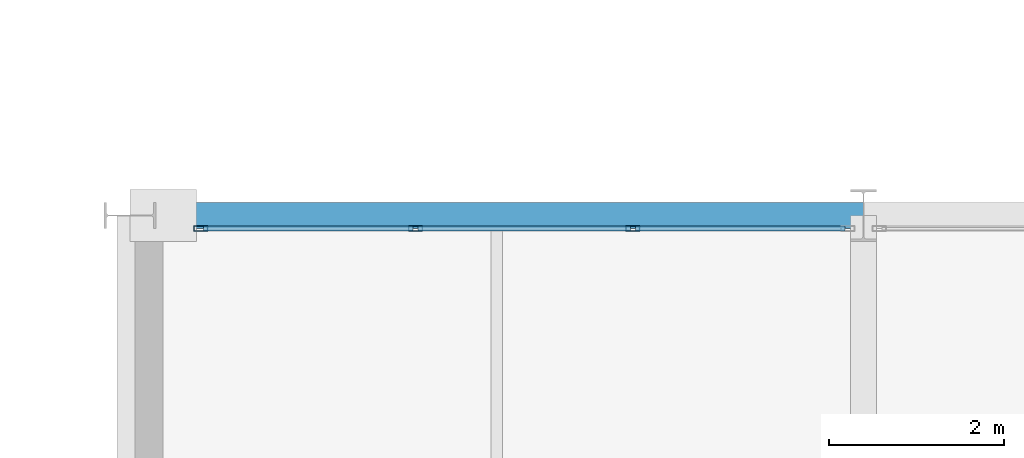
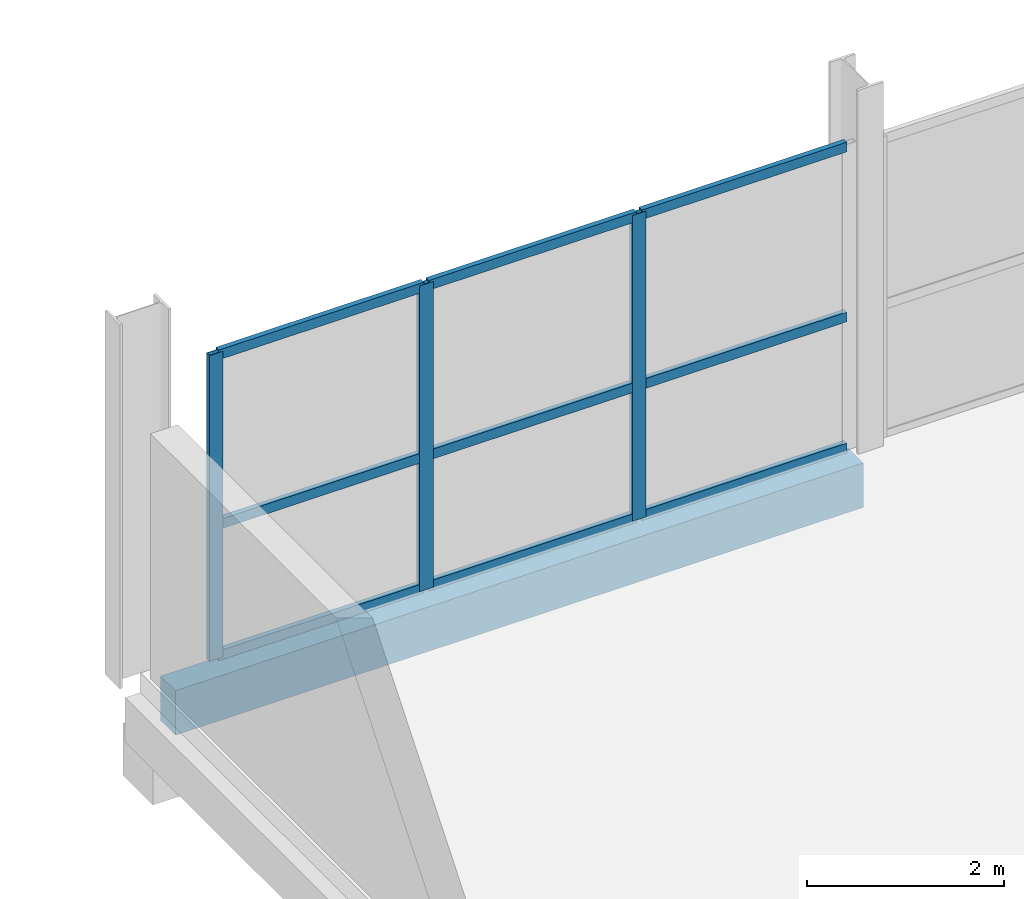
# One storey, part 56 of 130: 12 members, 1 beam, 1 element without a shape of its own.
"""IFC4 building model written with IfcOpenShell, lengths in metres."""

import ifcopenshell
import ifcopenshell.guid

model = None  # the IFC model being written
_history = None  # IfcOwnerHistory: only IFC2X3 demands one
_inside = {}  # id of a spatial element -> (the spatial element, [elements in it])
_under = {}  # id of a project, library or spatial element -> (it, [spatial elements below it])
_declared = {}  # id of a project -> (the project, [libraries it declares])
_typed = {}  # id of a type object -> (the type object, [elements of that type])
_made_of = {}  # id of a material, layer set ... -> (it, [elements and type objects made of it])


def new_model(schema):
    """Start an empty IFC model of exactly this schema.

    Asked for "IFC4X3", IfcOpenShell would pick the latest addendum, in which some entities
    have other attributes; the version numbers below select the first issue.
    IFC2X3 requires an IfcOwnerHistory on every rooted entity: one is made here for all.
    """
    global model, _history
    if schema == "IFC4X3":
        model = ifcopenshell.file(schema_version=(4, 3, 0, 0))
    else:
        model = ifcopenshell.file(schema=schema)
    _inside.clear()
    _under.clear()
    _declared.clear()
    _typed.clear()
    _made_of.clear()
    _history = None
    if model.schema == "IFC2X3":
        org = make("IfcOrganization", Name="unknown")
        user = make(
            "IfcPersonAndOrganization",
            ThePerson=make("IfcPerson", FamilyName="unknown"),
            TheOrganization=org,
        )
        app = make(
            "IfcApplication",
            ApplicationDeveloper=org,
            Version="unknown",
            ApplicationFullName="unknown",
            ApplicationIdentifier="unknown",
        )
        _history = make(
            "IfcOwnerHistory",
            OwningUser=user,
            OwningApplication=app,
            ChangeAction="ADDED",
            CreationDate=0,
        )
    return model


def make(cls, **values):
    """One entity of the class cls with the attributes given. An attribute that is None is left unset."""
    return model.create_entity(
        cls, **{name: value for name, value in values.items() if value is not None}
    )


def rooted(cls, **values):
    """An entity with a GlobalId (a new one), such as an element, a storey or a relation."""
    return make(cls, GlobalId=ifcopenshell.guid.new(), OwnerHistory=_history, **values)


def si_unit(unit_type, name, prefix=None):
    """IfcSIUnit, for example si_unit("LENGTHUNIT", "METRE", prefix="MILLI")."""
    return make("IfcSIUnit", UnitType=unit_type, Prefix=prefix, Name=name)


def assignment(units):
    """IfcUnitAssignment: the units of a project."""
    return None if units is None else make("IfcUnitAssignment", Units=units)


def point(xyz):
    """IfcCartesianPoint."""
    return None if xyz is None else make("IfcCartesianPoint", Coordinates=xyz)


def direction(xyz):
    """IfcDirection."""
    return None if xyz is None else make("IfcDirection", DirectionRatios=xyz)


def frame(location, z_axis=None, x_axis=None):
    """IfcAxis2Placement3D, a coordinate frame: its origin and axes. An axis left out is left unset."""
    return make(
        "IfcAxis2Placement3D",
        Location=point(location),
        Axis=direction(z_axis),
        RefDirection=direction(x_axis),
    )


def frame_2d(location, x_axis=None):
    """IfcAxis2Placement2D, a coordinate frame in the plane: its origin and x axis."""
    return make(
        "IfcAxis2Placement2D", Location=point(location), RefDirection=direction(x_axis)
    )


def origin():
    """The frame at (0, 0, 0) with its axes left unset."""
    return frame((0.0, 0.0, 0.0))


def origin_2d():
    """The frame at (0, 0) in the plane with its x axis left unset."""
    return frame_2d((0.0, 0.0))


def place(relative_to, where):
    """IfcLocalPlacement: puts the frame where relative to a parent placement (None: the world)."""
    return make(
        "IfcLocalPlacement", PlacementRelTo=relative_to, RelativePlacement=where
    )


def context(
    kind, dimensions, precision=None, world=None, true_north=None, identifier=None
):
    """IfcGeometricRepresentationContext, for example the 3D "Model" context."""
    return make(
        "IfcGeometricRepresentationContext",
        ContextIdentifier=identifier,
        ContextType=kind,
        CoordinateSpaceDimension=dimensions,
        Precision=precision,
        WorldCoordinateSystem=world,
        TrueNorth=true_north,
    )


def subcontext(parent, identifier, kind, view, scale=None):
    """IfcGeometricRepresentationSubContext, for example "Body" below "Model"."""
    return make(
        "IfcGeometricRepresentationSubContext",
        ContextIdentifier=identifier,
        ContextType=kind,
        ParentContext=parent,
        TargetScale=scale,
        TargetView=view,
    )


def project(units=None, contexts=None):
    """IfcProject with its units and contexts."""
    return rooted(
        "IfcProject",
        Name="project",
        RepresentationContexts=contexts,
        UnitsInContext=assignment(units),
    )


def spatial(cls, under=None, at=None, **own):
    """A site, building, storey or space (cls), placed at a placement, below another one or the project."""
    s = rooted(cls, ObjectPlacement=at, **own)
    if under is not None:
        _under.setdefault(under.id(), (under, []))[1].append(s)
    return s


def profile(cls, at=None, kind="AREA", **sizes):
    """A parametric profile (cls). Its sizes go by their IFC names, for example OverallWidth=200.0."""
    return make(cls, ProfileType=kind, Position=at, **sizes)


def rectangle(**sizes):
    """IfcRectangleProfileDef."""
    return profile("IfcRectangleProfileDef", **sizes)


def hollow_rectangle(**sizes):
    """IfcRectangleHollowProfileDef."""
    return profile("IfcRectangleHollowProfileDef", **sizes)


def extrude(swept, where, along, depth):
    """IfcExtrudedAreaSolid: the profile swept, set in the frame where, extruded along a direction by depth."""
    return make(
        "IfcExtrudedAreaSolid",
        SweptArea=swept,
        Position=where,
        ExtrudedDirection=direction(along),
        Depth=depth,
    )


def shape(context_of_items, identifier, shape_type, items):
    """IfcShapeRepresentation: the items that make up one representation, for example the "Body"."""
    return make(
        "IfcShapeRepresentation",
        ContextOfItems=context_of_items,
        RepresentationIdentifier=identifier,
        RepresentationType=shape_type,
        Items=items,
    )


def material(Name=None, Category=None):
    """IfcMaterial."""
    return make("IfcMaterial", Name=Name, Category=Category)


def material_profile(
    of_material, cross_section, Name=None, Category=None, Priority=None
):
    """IfcMaterialProfile: a cross section and its material."""
    return make(
        "IfcMaterialProfile",
        Name=Name,
        Material=of_material,
        Profile=cross_section,
        Priority=Priority,
        Category=Category,
    )


def profile_set(profiles, Name=None, composite=None):
    """IfcMaterialProfileSet."""
    return make(
        "IfcMaterialProfileSet",
        Name=Name,
        MaterialProfiles=profiles,
        CompositeProfile=composite,
    )


def made_of(thing, what):
    """Note that an element or type object is made of a material, layer set ...; save() writes the relation."""
    if what is not None:
        _made_of.setdefault(what.id(), (what, []))[1].append(thing)
    return thing


def type_object(cls, material=None, **own):
    """A type object (cls), such as IfcWallType, which elements share."""
    return made_of(rooted(cls, **own), material)


def element(
    cls,
    number,
    at=None,
    inside=None,
    cuts=None,
    type_object=None,
    material=None,
    context=None,
    identifier="Body",
    shape_type=None,
    held_by="IfcProductDefinitionShape",
    body=None,
    shapes=None,
    **own,
):
    """One element of the class cls, such as IfcWall. Its Tag is "e" and its number.

    at: its placement. inside: the storey or other place that contains it. cuts: it is an
    opening in that element (IfcRelVoidsElement). A single representation is given by context,
    identifier, shape_type and body (its items); several are given by shapes. held_by: the class
    of the entity that holds the representations. save() writes the other relations.
    """
    e = rooted(cls, Tag="e%d" % number, ObjectPlacement=at, **own)
    if body is not None:
        shapes = [shape(context, identifier, shape_type, body)]
    if shapes is not None:
        e.Representation = make(held_by, Representations=shapes)
    if inside is not None:
        _inside.setdefault(inside.id(), (inside, []))[1].append(e)
    if cuts is not None:
        rooted(
            "IfcRelVoidsElement", RelatingBuildingElement=cuts, RelatedOpeningElement=e
        )
    if type_object is not None:
        _typed.setdefault(type_object.id(), (type_object, []))[1].append(e)
    return made_of(e, material)


def aggregate(whole, parts):
    """IfcRelAggregates: a whole, such as a stair, and the parts it consists of."""
    return rooted("IfcRelAggregates", RelatingObject=whole, RelatedObjects=parts)


def save(model, path):
    """Write the relations noted so far, then the file.

    IfcRelAggregates (storeys below a building ...), IfcRelContainedInSpatialStructure (elements
    in a storey), IfcRelDefinesByType, IfcRelAssociatesMaterial and IfcRelDeclares: one each for
    every whole, place, type object, material and project.
    """
    for whole, parts in _under.values():
        aggregate(whole, parts)
    for where, things in _inside.values():
        rooted(
            "IfcRelContainedInSpatialStructure",
            RelatedElements=things,
            RelatingStructure=where,
        )
    for kind, things in _typed.values():
        rooted("IfcRelDefinesByType", RelatedObjects=things, RelatingType=kind)
    for what, things in _made_of.values():
        rooted("IfcRelAssociatesMaterial", RelatedObjects=things, RelatingMaterial=what)
    for by, libraries in _declared.values():
        rooted("IfcRelDeclares", RelatingContext=by, RelatedDefinitions=libraries)
    model.write(path)


model = new_model("IFC4")

# Units and contexts
model_context = context("Model", 3, precision=1e-05, world=origin(), true_north=direction((0.0, 1.0)))
body_context = subcontext(model_context, "Body", "Model", "MODEL_VIEW")
ifc_project = project(units=[si_unit("LENGTHUNIT", "METRE"), si_unit("AREAUNIT", "SQUARE_METRE"), si_unit("VOLUMEUNIT", "CUBIC_METRE"), si_unit("PLANEANGLEUNIT", "RADIAN"), si_unit("MASSUNIT", "GRAM", prefix="KILO")], contexts=[model_context])

# Site, building, storey
site_placement = place(None, origin())
site = spatial("IfcSite", under=ifc_project, at=site_placement, CompositionType="ELEMENT")
building_placement = place(site_placement, origin())
building = spatial("IfcBuilding", under=site, at=building_placement, Name="Veltarok Museum of Natural Sciences", CompositionType="ELEMENT")
storey_placement = place(building_placement, frame((0.0, 0.0, 12.89990234375)))
storey = spatial("IfcBuildingStorey", under=building, at=storey_placement, Name="L02", CompositionType="ELEMENT", Elevation=12.89990234375)

# Curtain wall, members
ifc_material_1 = material(Name="Low-iron triple insulated glass", Category="glass")
curtain_wall_type = type_object("IfcCurtainWallType", Name="Curtain Wall System CW-V5CN-L02-2-747x378 (CW-V5CN L02 747x378cm)", PredefinedType="NOTDEFINED", material=ifc_material_1)
curtain_wall_placement = place(storey_placement, origin())
curtain_wall = element("IfcCurtainWall", 1, at=curtain_wall_placement, inside=storey, type_object=curtain_wall_type, Name="Curtain Wall CW-V5CN-L02-2-747x378 CW-0190", PredefinedType="NOTDEFINED")
ifc_material_2 = material(Name="Thermally broken anodised aluminium", Category="aluminium")
ifc_material_profile_1 = material_profile(ifc_material_2, hollow_rectangle(XDim=0.06005859375, YDim=0.1201171875, WallThickness=0.0048828125, at=origin_2d()), Name="CW TRANSOM 60x120x5")
ifc_profile_set_1 = profile_set([ifc_material_profile_1], Name="Thermally broken anodised aluminium")
member_type_1 = type_object("IfcMemberType", Name="Curtain Wall Horizontal Transom 60x120x5", PredefinedType="USERDEFINED", material=ifc_profile_set_1)
member_1_placement = place(storey_placement, frame((115.389892578125, 26.25, 0.028076171875), z_axis=(-1.0, 0.0, 0.0), x_axis=(0.0, -1.0, 0.0)))
member_1 = element("IfcMember", 2, at=member_1_placement, type_object=member_type_1, Name="CW-V5CN-L02-2-747x378 transom 1.1", ObjectType="TRANSOM", PredefinedType="USERDEFINED", context=body_context, shape_type="SweptSolid", body=[
    extrude(hollow_rectangle(XDim=0.06005859375, YDim=0.1201171875, WallThickness=0.0048828125, at=origin_2d()), origin(), (0.0, 0.0, 1.0), 2.39990234375),
])
member_2_placement = place(storey_placement, frame((115.389892578125, 26.25, 1.648193359375), z_axis=(-1.0, 0.0, 0.0), x_axis=(0.0, -1.0, 0.0)))
member_2 = element("IfcMember", 3, at=member_2_placement, type_object=member_type_1, Name="CW-V5CN-L02-2-747x378 transom 1.2", ObjectType="TRANSOM", PredefinedType="USERDEFINED", context=body_context, shape_type="SweptSolid", body=[
    extrude(hollow_rectangle(XDim=0.06005859375, YDim=0.1201171875, WallThickness=0.0048828125, at=origin_2d()), origin(), (0.0, 0.0, 1.0), 2.39990234375),
])
member_3_placement = place(storey_placement, frame((115.389892578125, 26.25, 3.75), z_axis=(-1.0, 0.0, 0.0), x_axis=(0.0, -1.0, 0.0)))
member_3 = element("IfcMember", 4, at=member_3_placement, type_object=member_type_1, Name="CW-V5CN-L02-2-747x378 transom 1.3", ObjectType="TRANSOM", PredefinedType="USERDEFINED", context=body_context, shape_type="SweptSolid", body=[
    extrude(hollow_rectangle(XDim=0.06005859375, YDim=0.1201171875, WallThickness=0.0048828125, at=origin_2d()), origin(), (0.0, 0.0, 1.0), 2.39990234375),
])
member_4_placement = place(storey_placement, frame((112.929931640625, 26.25, 0.028076171875), z_axis=(-1.0, 0.0, 0.0), x_axis=(0.0, -1.0, 0.0)))
member_4 = element("IfcMember", 5, at=member_4_placement, type_object=member_type_1, Name="CW-V5CN-L02-2-747x378 transom 2.1", ObjectType="TRANSOM", PredefinedType="USERDEFINED", context=body_context, shape_type="SweptSolid", body=[
    extrude(hollow_rectangle(XDim=0.06005859375, YDim=0.1201171875, WallThickness=0.0048828125, at=origin_2d()), origin(), (0.0, 0.0, 1.0), 2.429931640625),
])
member_5_placement = place(storey_placement, frame((112.929931640625, 26.25, 1.648193359375), z_axis=(-1.0, 0.0, 0.0), x_axis=(0.0, -1.0, 0.0)))
member_5 = element("IfcMember", 6, at=member_5_placement, type_object=member_type_1, Name="CW-V5CN-L02-2-747x378 transom 2.2", ObjectType="TRANSOM", PredefinedType="USERDEFINED", context=body_context, shape_type="SweptSolid", body=[
    extrude(hollow_rectangle(XDim=0.06005859375, YDim=0.1201171875, WallThickness=0.0048828125, at=origin_2d()), origin(), (0.0, 0.0, 1.0), 2.429931640625),
])
member_6_placement = place(storey_placement, frame((112.929931640625, 26.25, 3.75), z_axis=(-1.0, 0.0, 0.0), x_axis=(0.0, -1.0, 0.0)))
member_6 = element("IfcMember", 7, at=member_6_placement, type_object=member_type_1, Name="CW-V5CN-L02-2-747x378 transom 2.3", ObjectType="TRANSOM", PredefinedType="USERDEFINED", context=body_context, shape_type="SweptSolid", body=[
    extrude(hollow_rectangle(XDim=0.06005859375, YDim=0.1201171875, WallThickness=0.0048828125, at=origin_2d()), origin(), (0.0, 0.0, 1.0), 2.429931640625),
])
member_7_placement = place(storey_placement, frame((110.43994140625, 26.25, 0.028076171875), z_axis=(-1.0, 0.0, 0.0), x_axis=(0.0, -1.0, 0.0)))
member_7 = element("IfcMember", 8, at=member_7_placement, type_object=member_type_1, Name="CW-V5CN-L02-2-747x378 transom 3.1", ObjectType="TRANSOM", PredefinedType="USERDEFINED", context=body_context, shape_type="SweptSolid", body=[
    extrude(hollow_rectangle(XDim=0.06005859375, YDim=0.1201171875, WallThickness=0.0048828125, at=origin_2d()), origin(), (0.0, 0.0, 1.0), 2.39990234375),
])
member_8_placement = place(storey_placement, frame((110.43994140625, 26.25, 1.648193359375), z_axis=(-1.0, 0.0, 0.0), x_axis=(0.0, -1.0, 0.0)))
member_8 = element("IfcMember", 9, at=member_8_placement, type_object=member_type_1, Name="CW-V5CN-L02-2-747x378 transom 3.2", ObjectType="TRANSOM", PredefinedType="USERDEFINED", context=body_context, shape_type="SweptSolid", body=[
    extrude(hollow_rectangle(XDim=0.06005859375, YDim=0.1201171875, WallThickness=0.0048828125, at=origin_2d()), origin(), (0.0, 0.0, 1.0), 2.39990234375),
])
member_9_placement = place(storey_placement, frame((110.43994140625, 26.25, 3.75), z_axis=(-1.0, 0.0, 0.0), x_axis=(0.0, -1.0, 0.0)))
member_9 = element("IfcMember", 10, at=member_9_placement, type_object=member_type_1, Name="CW-V5CN-L02-2-747x378 transom 3.3", ObjectType="TRANSOM", PredefinedType="USERDEFINED", context=body_context, shape_type="SweptSolid", body=[
    extrude(hollow_rectangle(XDim=0.06005859375, YDim=0.1201171875, WallThickness=0.0048828125, at=origin_2d()), origin(), (0.0, 0.0, 1.0), 2.39990234375),
])
ifc_material_profile_2 = material_profile(ifc_material_2, hollow_rectangle(XDim=0.06005859375, YDim=0.159912109375, WallThickness=0.0048828125, at=origin_2d()), Name="CW MULLION 60x160x5")
ifc_profile_set_2 = profile_set([ifc_material_profile_2], Name="Thermally broken anodised aluminium")
member_type_2 = type_object("IfcMemberType", Name="Curtain Wall Vertical Mullion 60x160x5", PredefinedType="MULLION", material=ifc_profile_set_2)
member_10_placement = place(storey_placement, frame((112.9599609375, 26.25, -0.001953125), z_axis=(0.0, 0.0, 1.0), x_axis=(0.0, -1.0, 0.0)))
member_10 = element("IfcMember", 11, at=member_10_placement, type_object=member_type_2, Name="CW-V5CN-L02-2-747x378 mullion 2", PredefinedType="MULLION", context=body_context, shape_type="SweptSolid", body=[
    extrude(hollow_rectangle(XDim=0.06005859375, YDim=0.159912109375, WallThickness=0.0048828125, at=origin_2d()), origin(), (0.0, 0.0, 1.0), 3.781982421875),
])
member_11_placement = place(storey_placement, frame((110.469970703125, 26.25, -0.001953125), z_axis=(0.0, 0.0, 1.0), x_axis=(0.0, -1.0, 0.0)))
member_11 = element("IfcMember", 12, at=member_11_placement, type_object=member_type_2, Name="CW-V5CN-L02-2-747x378 mullion 3", PredefinedType="MULLION", context=body_context, shape_type="SweptSolid", body=[
    extrude(hollow_rectangle(XDim=0.06005859375, YDim=0.159912109375, WallThickness=0.0048828125, at=origin_2d()), origin(), (0.0, 0.0, 1.0), 3.781982421875),
])
member_12_placement = place(storey_placement, frame((108.010009765625, 26.25, -0.001953125), z_axis=(0.0, 0.0, 1.0), x_axis=(0.0, -1.0, 0.0)))
member_12 = element("IfcMember", 13, at=member_12_placement, type_object=member_type_2, Name="CW-V5CN-L02-2-747x378 mullion 4", PredefinedType="MULLION", context=body_context, shape_type="SweptSolid", body=[
    extrude(hollow_rectangle(XDim=0.06005859375, YDim=0.159912109375, WallThickness=0.0048828125, at=origin_2d()), origin(), (0.0, 0.0, 1.0), 3.781982421875),
])
aggregate(curtain_wall, [member_10, member_11, member_12, member_1, member_2, member_3, member_4, member_5, member_6, member_7, member_8, member_9])

# Beam
ifc_material_3 = material(Name="Precast concrete C40/50", Category="concrete")
ifc_material_profile_3 = material_profile(ifc_material_3, rectangle(XDim=0.300048828125, YDim=0.550048828125, at=origin_2d()), Name="RC 300x550")
ifc_profile_set_3 = profile_set([ifc_material_profile_3], Name="Precast concrete C40/50")
beam_type = type_object("IfcBeamType", Name="East Wing Precast Spandrel RC 300x550", PredefinedType="SPANDREL", material=ifc_profile_set_3)
beam_placement = place(storey_placement, frame((107.550048828125, 26.39990234375, -0.52490234375), z_axis=(1.0, 0.0, 0.0), x_axis=(0.0, 1.0, 0.0)))
element("IfcBeam", 14, at=beam_placement, inside=storey, type_object=beam_type, Name="Beam BM-SP02 L02 13-14/D", PredefinedType="SPANDREL", context=body_context, shape_type="SweptSolid", body=[
    extrude(rectangle(XDim=0.300048828125, YDim=0.550048828125, at=origin_2d()), origin(), (0.0, 0.0, 1.0), 8.050048828125),
])

save(model, "model.ifc")
